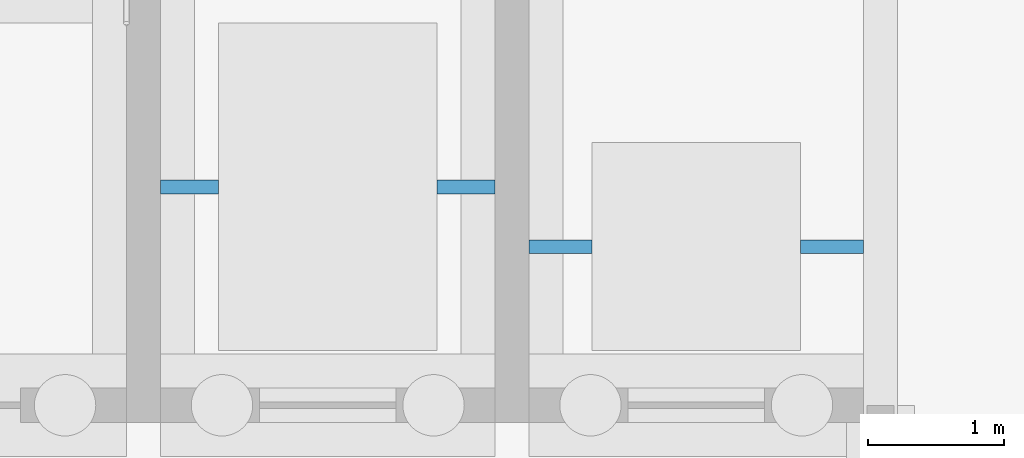
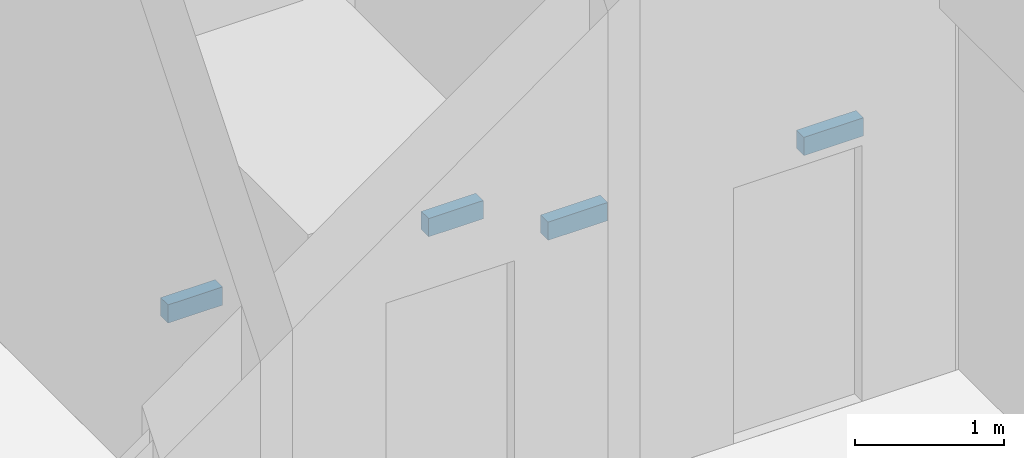
# One storey, part 91 of 112: 4 discrete accessories.
"""IFC4 building model written with IfcOpenShell, lengths in metres."""

from ifc_helpers import new_model, si_unit, direction, frame, origin, origin_2d, place, context, subcontext, project, spatial, rectangle, extrude, material, type_object, element, save


model = new_model("IFC4")

# Units and contexts
model_context = context("Model", 3, precision=1e-05, world=origin(), true_north=direction((0.0, 1.0)))
body_context = subcontext(model_context, "Body", "Model", "MODEL_VIEW")
ifc_project = project(units=[si_unit("LENGTHUNIT", "METRE"), si_unit("AREAUNIT", "SQUARE_METRE"), si_unit("VOLUMEUNIT", "CUBIC_METRE"), si_unit("PLANEANGLEUNIT", "RADIAN"), si_unit("MASSUNIT", "GRAM", prefix="KILO")], contexts=[model_context])

# Site, building, storey
site_placement = place(None, origin())
site = spatial("IfcSite", under=ifc_project, at=site_placement, CompositionType="ELEMENT")
building_placement = place(site_placement, origin())
building = spatial("IfcBuilding", under=site, at=building_placement, Name="Wasatch Bagh Community Centre", CompositionType="ELEMENT")
storey_placement = place(building_placement, origin())
storey = spatial("IfcBuildingStorey", under=building, at=storey_placement, Name="L00", CompositionType="ELEMENT", Elevation=0.0)

# Discrete accessories
ifc_material = material(Name="Galvanised steel", Category="steel")
discrete_accessory_type = type_object("IfcDiscreteAccessoryType", Name="LW lift guide bracket", PredefinedType="BRACKET", material=ifc_material)
for number, where, z_axis, x_axis, name in (
    (1, (109.33740234375, 92.39990234375, 1.175048828125), (0.0, 0.0, 1.0), (1.0, 0.0, 0.0), "Guide bracket C2"),
    (2, (111.362548828125, 92.39990234375, 1.175048828125), (0.0, 0.0, 1.0), (1.0, 0.0, 0.0), "Guide bracket C2"),
):
    element("IfcDiscreteAccessory", number, at=place(storey_placement, frame(where, z_axis=z_axis, x_axis=x_axis)), inside=storey, type_object=discrete_accessory_type, Name=name, PredefinedType="BRACKET", context=body_context, shape_type="SweptSolid", body=[
        extrude(rectangle(XDim=0.425048828125, YDim=0.10009765625, at=origin_2d()), origin(), (0.0, 0.0, 1.0), 0.14990234375),
    ])
for number, where, z_axis, x_axis, name in (
    (3, (112.056396484375, 91.96240234375, 1.175048828125), (0.0, 0.0, 1.0), (1.0, 0.0, 0.0), "Guide bracket C2"),
    (4, (114.043701171875, 91.96240234375, 1.175048828125), (0.0, 0.0, 1.0), (1.0, 0.0, 0.0), "Guide bracket C2"),
):
    element("IfcDiscreteAccessory", number, at=place(storey_placement, frame(where, z_axis=z_axis, x_axis=x_axis)), inside=storey, type_object=discrete_accessory_type, Name=name, PredefinedType="BRACKET", context=body_context, shape_type="SweptSolid", body=[
        extrude(rectangle(XDim=0.46240234375, YDim=0.10009765625, at=origin_2d()), origin(), (0.0, 0.0, 1.0), 0.14990234375),
    ])

save(model, "model.ifc")
